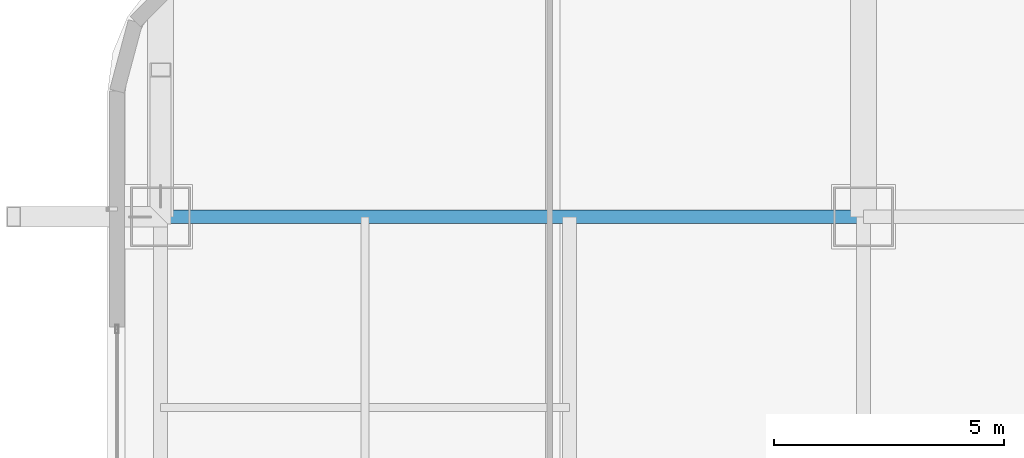
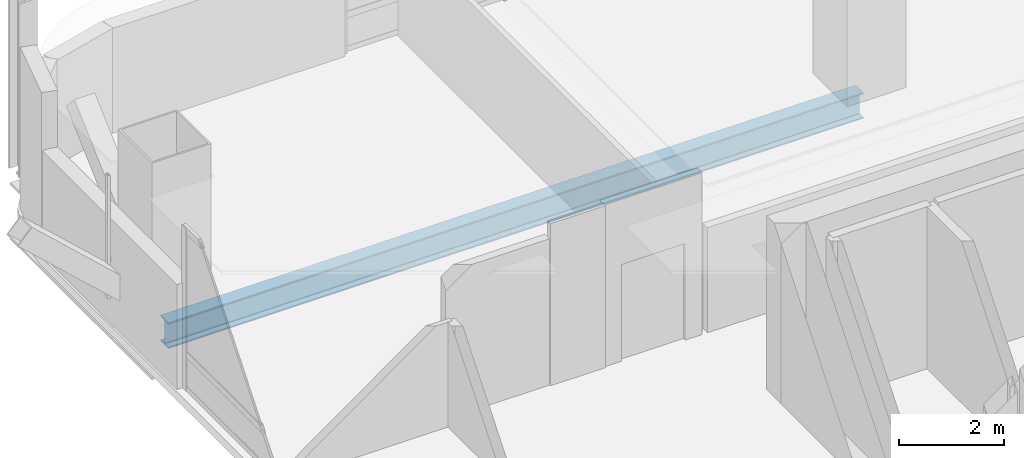
# One storey, part 24 of 51: 1 beam.
"""IFC4 building model written with IfcOpenShell, lengths in metres."""

from ifc_helpers import new_model, si_unit, direction, frame, origin, origin_2d, place, context, subcontext, project, spatial, i_section, extrude, material, material_profile, profile_set, type_object, element, save


model = new_model("IFC4")

# Units and contexts
model_context = context("Model", 3, precision=1e-05, world=origin(), true_north=direction((0.0, 1.0)))
body_context = subcontext(model_context, "Body", "Model", "MODEL_VIEW")
ifc_project = project(units=[si_unit("LENGTHUNIT", "METRE"), si_unit("AREAUNIT", "SQUARE_METRE"), si_unit("VOLUMEUNIT", "CUBIC_METRE"), si_unit("PLANEANGLEUNIT", "RADIAN"), si_unit("MASSUNIT", "GRAM", prefix="KILO")], contexts=[model_context])

# Site, building, storey
site_placement = place(None, origin())
site = spatial("IfcSite", under=ifc_project, at=site_placement, CompositionType="ELEMENT")
building_placement = place(site_placement, origin())
building = spatial("IfcBuilding", under=site, at=building_placement, Name="Punatoya Terracotta Tower", CompositionType="ELEMENT")
storey_placement = place(building_placement, frame((0.0, 0.0, 279.75)))
storey = spatial("IfcBuildingStorey", under=building, at=storey_placement, Name="L66", CompositionType="ELEMENT", Elevation=279.75)

# Beam
ifc_material = material(Name="Steel S355", Category="steel")
ifc_material_profile = material_profile(ifc_material, i_section(OverallWidth=0.300048828125, OverallDepth=0.60009765625, WebThickness=0.015380859375, FlangeThickness=0.030029296875, FilletRadius=0.01806640625, at=origin_2d()))
ifc_profile_set = profile_set([ifc_material_profile], Name="Steel S355")
beam_type = type_object("IfcBeamType", Name="BM-PRI-600", PredefinedType="BEAM", material=ifc_profile_set)
beam_placement = place(storey_placement, frame((-19.10009765625, 17.5, -0.5), z_axis=(1.0, 0.0, 0.0), x_axis=(0.0, 1.0, 0.0)))
element("IfcBeam", 1, at=beam_placement, inside=storey, type_object=beam_type, Name="BM-L66-RG-N1", PredefinedType="BEAM", context=body_context, shape_type="SweptSolid", body=[
    extrude(i_section(OverallWidth=0.300048828125, OverallDepth=0.60009765625, WebThickness=0.015380859375, FlangeThickness=0.030029296875, FilletRadius=0.01806640625, at=origin_2d()), origin(), (0.0, 0.0, 1.0), 15.300048828125),
])

save(model, "model.ifc")
